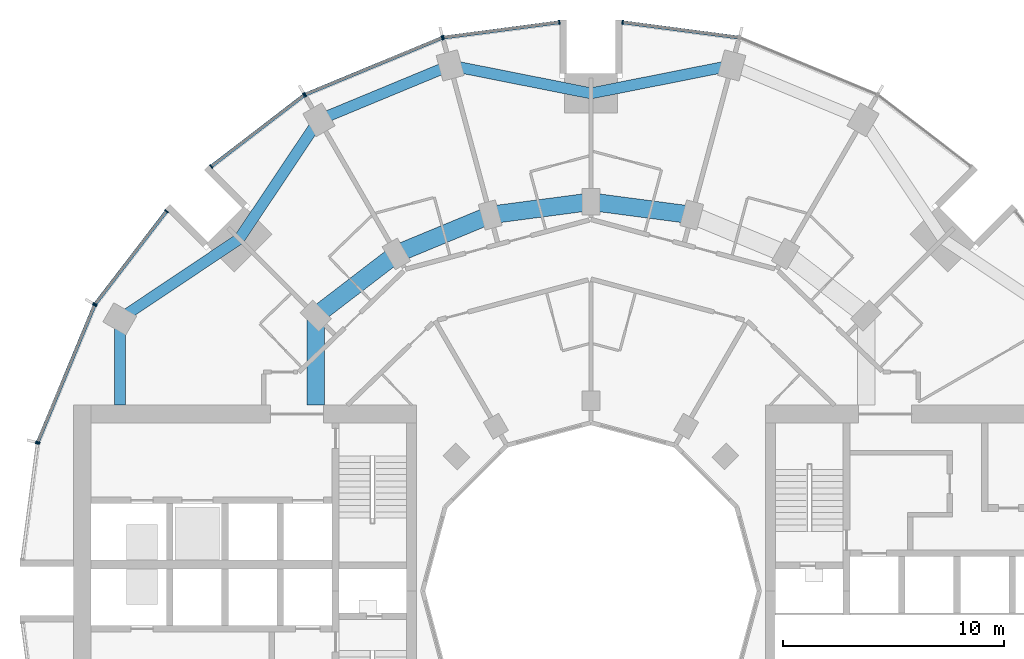
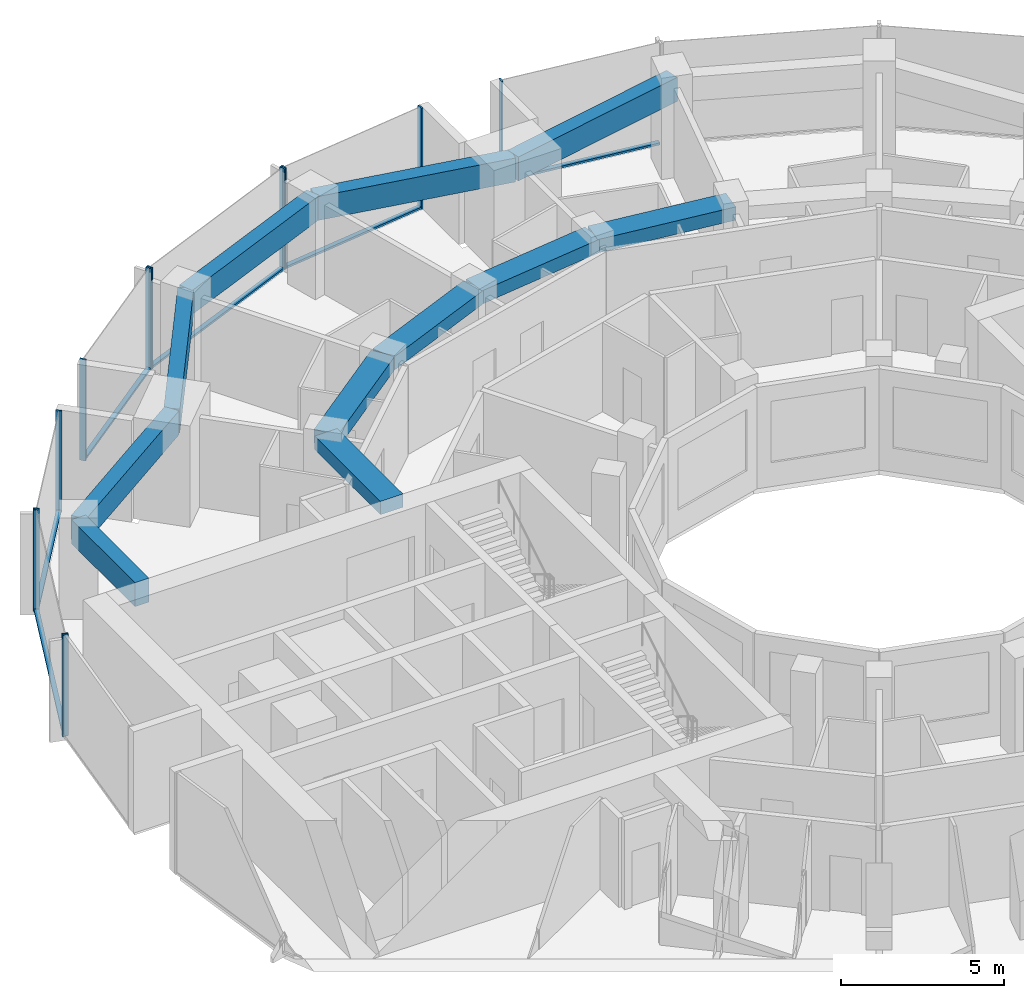
# One storey, part 5 of 15: 18 members, 11 beams, 7 elements without a shape of their own.
"""IFC4 building model written with IfcOpenShell, lengths in metres."""

from ifc_helpers import new_model, si_unit, direction, frame, origin, origin_2d, place, context, subcontext, project, spatial, rectangle, extrude, material, layer, layer_set, material_profile, profile_set, type_object, element, aggregate, save


model = new_model("IFC4")

# Units and contexts
model_context = context("Model", 3, precision=1e-05, world=origin(), true_north=direction((0.0, 1.0)))
body_context = subcontext(model_context, "Body", "Model", "MODEL_VIEW")
ifc_project = project(units=[si_unit("LENGTHUNIT", "METRE"), si_unit("AREAUNIT", "SQUARE_METRE"), si_unit("VOLUMEUNIT", "CUBIC_METRE"), si_unit("PLANEANGLEUNIT", "RADIAN"), si_unit("MASSUNIT", "GRAM", prefix="KILO")], contexts=[model_context])

# Site, building, storey
site_placement = place(None, origin())
site = spatial("IfcSite", under=ifc_project, at=site_placement, CompositionType="ELEMENT")
building_placement = place(site_placement, origin())
building = spatial("IfcBuilding", under=site, at=building_placement, Name="Torre Brocal", CompositionType="ELEMENT")
storey_placement = place(building_placement, frame((0.0, 0.0, 32.60009765625)))
storey = spatial("IfcBuildingStorey", under=building, at=storey_placement, Name="L06", CompositionType="ELEMENT", Elevation=32.60009765625)

# Curtain wall, member
ifc_material_1 = material(Name="Aluminium and glass", Category="aluminium")
ifc_layer_1 = layer(ifc_material_1, 0.199951171875)
ifc_layer_set_1 = layer_set([ifc_layer_1], Name="Aluminium and glass")
curtain_wall_type_1 = type_object("IfcCurtainWallType", Name="CW-1 CURTAIN WALL 3800 HIGH", PredefinedType="NOTDEFINED", material=ifc_layer_set_1)
curtain_wall_1_placement = place(storey_placement, origin())
curtain_wall_1 = element("IfcCurtainWall", 1, at=curtain_wall_1_placement, inside=storey, type_object=curtain_wall_type_1, Name="CW-1 RUN 6", PredefinedType="NOTDEFINED")
ifc_material_2 = material(Name="Aluminium, dark anodised", Category="aluminium")
ifc_material_profile_1 = material_profile(ifc_material_2, rectangle(XDim=0.199951171875, YDim=0.06005859375, at=origin_2d()), Name="CW-1 MULLION 60X200")
ifc_profile_set_1 = profile_set([ifc_material_profile_1], Name="Aluminium, dark anodised")
member_type_1 = type_object("IfcMemberType", Name="CW-1 MULLION 60X200", PredefinedType="MULLION", material=ifc_profile_set_1)
member_1_placement = place(storey_placement, frame((81.4296875, 100.7109375, 0.0), z_axis=(0.0, 0.0, 1.0), x_axis=(-0.13052619222, -0.991444861374, 0.0)))
member_1 = element("IfcMember", 2, at=member_1_placement, type_object=member_type_1, Name="CW1-1 mullion 2", PredefinedType="MULLION", context=body_context, shape_type="SweptSolid", body=[
    extrude(rectangle(XDim=0.199951171875, YDim=0.06005859375, at=origin_2d()), origin(), (0.0, 0.0, 1.0), 3.7998046875),
])

# Curtain wall, members
curtain_wall_2_placement = place(storey_placement, origin())
curtain_wall_2 = element("IfcCurtainWall", 3, at=curtain_wall_2_placement, inside=storey, type_object=curtain_wall_type_1, Name="CW-1 RUN 7", PredefinedType="NOTDEFINED")
member_2_placement = place(storey_placement, frame((78.5703125, 100.7109375, 0.0), z_axis=(0.0, 0.0, 1.0), x_axis=(0.13052619222, -0.991444861374, 0.0)))
member_2 = element("IfcMember", 4, at=member_2_placement, type_object=member_type_1, Name="CW1-1 mullion 1", PredefinedType="MULLION", context=body_context, shape_type="SweptSolid", body=[
    extrude(rectangle(XDim=0.199951171875, YDim=0.06005859375, at=origin_2d()), origin(), (0.0, 0.0, 1.0), 3.7998046875),
])
member_3_placement = place(storey_placement, frame((73.32666015625, 100.0205078125, 0.0), z_axis=(0.0, 0.0, 1.0), x_axis=(0.13052619222, -0.991444861374, 0.0)))
member_3 = element("IfcMember", 5, at=member_3_placement, type_object=member_type_1, Name="CW1-1 mullion 2", PredefinedType="MULLION", context=body_context, shape_type="SweptSolid", body=[
    extrude(rectangle(XDim=0.199951171875, YDim=0.06005859375, at=origin_2d()), origin(), (0.0, 0.0, 1.0), 3.7998046875),
])

curtain_wall_3_placement = place(storey_placement, origin())
curtain_wall_3 = element("IfcCurtainWall", 6, at=curtain_wall_3_placement, inside=storey, type_object=curtain_wall_type_1, Name="CW-1 RUN 8", PredefinedType="NOTDEFINED")
member_4_placement = place(storey_placement, frame((73.26904296875, 100.005126953125, 0.0), z_axis=(0.0, 0.0, 1.0), x_axis=(0.382683432333, -0.923879532525, 0.0)))
member_4 = element("IfcMember", 7, at=member_4_placement, type_object=member_type_1, Name="CW1-1 mullion 1", PredefinedType="MULLION", context=body_context, shape_type="SweptSolid", body=[
    extrude(rectangle(XDim=0.199951171875, YDim=0.06005859375, at=origin_2d()), origin(), (0.0, 0.0, 1.0), 3.7998046875),
])
member_5_placement = place(storey_placement, frame((67.078125, 97.440673828125, 0.0), z_axis=(0.0, 0.0, 1.0), x_axis=(0.382683432333, -0.923879532525, 0.0)))
member_5 = element("IfcMember", 8, at=member_5_placement, type_object=member_type_1, Name="CW1-1 mullion 2", PredefinedType="MULLION", context=body_context, shape_type="SweptSolid", body=[
    extrude(rectangle(XDim=0.199951171875, YDim=0.06005859375, at=origin_2d()), origin(), (0.0, 0.0, 1.0), 3.7998046875),
])

curtain_wall_4_placement = place(storey_placement, origin())
curtain_wall_4 = element("IfcCurtainWall", 9, at=curtain_wall_4_placement, inside=storey, type_object=curtain_wall_type_1, Name="CW-1 RUN 9", PredefinedType="NOTDEFINED")
member_6_placement = place(storey_placement, frame((67.026611328125, 97.4111328125, 0.0), z_axis=(0.0, 0.0, 1.0), x_axis=(0.60876142905, -0.793353340259, 0.0)))
member_6 = element("IfcMember", 10, at=member_6_placement, type_object=member_type_1, Name="CW1-1 mullion 1", PredefinedType="MULLION", context=body_context, shape_type="SweptSolid", body=[
    extrude(rectangle(XDim=0.199951171875, YDim=0.06005859375, at=origin_2d()), origin(), (0.0, 0.0, 1.0), 3.7998046875),
])
member_7_placement = place(storey_placement, frame((62.83056640625, 94.19140625, 0.0), z_axis=(0.0, 0.0, 1.0), x_axis=(0.60876142905, -0.793353340259, 0.0)))
member_7 = element("IfcMember", 11, at=member_7_placement, type_object=member_type_1, Name="CW1-1 mullion 2", PredefinedType="MULLION", context=body_context, shape_type="SweptSolid", body=[
    extrude(rectangle(XDim=0.199951171875, YDim=0.06005859375, at=origin_2d()), origin(), (0.0, 0.0, 1.0), 3.7998046875),
])

curtain_wall_5_placement = place(storey_placement, origin())
curtain_wall_5 = element("IfcCurtainWall", 12, at=curtain_wall_5_placement, inside=storey, type_object=curtain_wall_type_1, Name="CW-1 RUN 10", PredefinedType="NOTDEFINED")
member_8_placement = place(storey_placement, frame((60.80859375, 92.16943359375, 0.0), z_axis=(0.0, 0.0, 1.0), x_axis=(0.793353340259, -0.60876142905, 0.0)))
member_8 = element("IfcMember", 13, at=member_8_placement, type_object=member_type_1, Name="CW1-1 mullion 1", PredefinedType="MULLION", context=body_context, shape_type="SweptSolid", body=[
    extrude(rectangle(XDim=0.199951171875, YDim=0.06005859375, at=origin_2d()), origin(), (0.0, 0.0, 1.0), 3.7998046875),
])
member_9_placement = place(storey_placement, frame((57.5888671875, 87.973388671875, 0.0), z_axis=(0.0, 0.0, 1.0), x_axis=(0.793353340259, -0.60876142905, 0.0)))
member_9 = element("IfcMember", 14, at=member_9_placement, type_object=member_type_1, Name="CW1-1 mullion 2", PredefinedType="MULLION", context=body_context, shape_type="SweptSolid", body=[
    extrude(rectangle(XDim=0.199951171875, YDim=0.06005859375, at=origin_2d()), origin(), (0.0, 0.0, 1.0), 3.7998046875),
])

curtain_wall_6_placement = place(storey_placement, origin())
curtain_wall_6 = element("IfcCurtainWall", 15, at=curtain_wall_6_placement, inside=storey, type_object=curtain_wall_type_1, Name="CW-1 RUN 11", PredefinedType="NOTDEFINED")
member_10_placement = place(storey_placement, frame((57.559326171875, 87.921875, 0.0), z_axis=(0.0, 0.0, 1.0), x_axis=(0.923879532525, -0.382683432333, 0.0)))
member_10 = element("IfcMember", 16, at=member_10_placement, type_object=member_type_1, Name="CW1-1 mullion 1", PredefinedType="MULLION", context=body_context, shape_type="SweptSolid", body=[
    extrude(rectangle(XDim=0.199951171875, YDim=0.06005859375, at=origin_2d()), origin(), (0.0, 0.0, 1.0), 3.7998046875),
])
member_11_placement = place(storey_placement, frame((54.994873046875, 81.73095703125, 0.0), z_axis=(0.0, 0.0, 1.0), x_axis=(0.923879532525, -0.382683432333, 0.0)))
member_11 = element("IfcMember", 17, at=member_11_placement, type_object=member_type_1, Name="CW1-1 mullion 2", PredefinedType="MULLION", context=body_context, shape_type="SweptSolid", body=[
    extrude(rectangle(XDim=0.199951171875, YDim=0.06005859375, at=origin_2d()), origin(), (0.0, 0.0, 1.0), 3.7998046875),
])

# Member
ifc_material_3 = material(Name="Aluminium, dark anodised", Category="aluminium")
ifc_material_profile_2 = material_profile(ifc_material_3, rectangle(XDim=0.159912109375, YDim=0.080078125, at=origin_2d()), Name="CW-1 TRANSOM 160X80")
ifc_profile_set_2 = profile_set([ifc_material_profile_2], Name="Aluminium, dark anodised")
member_type_2 = type_object("IfcMemberType", Name="CW-1 TRANSOM 160X80", PredefinedType="USERDEFINED", material=ifc_profile_set_2)
member_12_placement = place(storey_placement, frame((86.643798828125, 100.0244140625, 0.039794921875), z_axis=(-0.991442690863, 0.130542677827, 0.0), x_axis=(-0.130542677827, -0.991442690863, 0.0)))
member_12 = element("IfcMember", 18, at=member_12_placement, type_object=member_type_2, Name="CW1-1 transom 1.1", ObjectType="TRANSOM", PredefinedType="USERDEFINED", context=body_context, shape_type="SweptSolid", body=[
    extrude(rectangle(XDim=0.159912109375, YDim=0.080078125, at=origin_2d()), origin(), (0.0, 0.0, 1.0), 5.22900390625),
])

aggregate(curtain_wall_1, [member_1, member_12])

member_13_placement = place(storey_placement, frame((78.54052734375, 100.70703125, 0.039794921875), z_axis=(-0.991442690863, -0.130542677827, 0.0), x_axis=(0.130542677827, -0.991442690863, 0.0)))
member_13 = element("IfcMember", 19, at=member_13_placement, type_object=member_type_2, Name="CW1-1 transom 1.1", ObjectType="TRANSOM", PredefinedType="USERDEFINED", context=body_context, shape_type="SweptSolid", body=[
    extrude(rectangle(XDim=0.159912109375, YDim=0.080078125, at=origin_2d()), origin(), (0.0, 0.0, 1.0), 5.22900390625),
])

aggregate(curtain_wall_2, [member_2, member_3, member_13])

member_14_placement = place(storey_placement, frame((73.241455078125, 99.99365234375, 0.039794921875), z_axis=(-0.923887344364, -0.38266457234, 0.0), x_axis=(0.38266457234, -0.923887344364, 0.0)))
member_14 = element("IfcMember", 20, at=member_14_placement, type_object=member_type_2, Name="CW1-1 transom 1.1", ObjectType="TRANSOM", PredefinedType="USERDEFINED", context=body_context, shape_type="SweptSolid", body=[
    extrude(rectangle(XDim=0.159912109375, YDim=0.080078125, at=origin_2d()), origin(), (0.0, 0.0, 1.0), 6.640869140625),
])

aggregate(curtain_wall_3, [member_4, member_5, member_14])

member_15_placement = place(storey_placement, frame((67.0029296875, 97.392822265625, 0.039794921875), z_axis=(-0.79336281513, -0.60874908096, 0.0), x_axis=(0.60874908096, -0.79336281513, 0.0)))
member_15 = element("IfcMember", 21, at=member_15_placement, type_object=member_type_2, Name="CW1-1 transom 1.1", ObjectType="TRANSOM", PredefinedType="USERDEFINED", context=body_context, shape_type="SweptSolid", body=[
    extrude(rectangle(XDim=0.159912109375, YDim=0.080078125, at=origin_2d()), origin(), (0.0, 0.0, 1.0), 5.22900390625),
])

aggregate(curtain_wall_4, [member_6, member_7, member_15])

member_16_placement = place(storey_placement, frame((60.790283203125, 92.1455078125, 0.039794921875), z_axis=(-0.60874908096, -0.79336281513, 0.0), x_axis=(0.79336281513, -0.60874908096, 0.0)))
member_16 = element("IfcMember", 22, at=member_16_placement, type_object=member_type_2, Name="CW1-1 transom 1.1", ObjectType="TRANSOM", PredefinedType="USERDEFINED", context=body_context, shape_type="SweptSolid", body=[
    extrude(rectangle(XDim=0.159912109375, YDim=0.080078125, at=origin_2d()), origin(), (0.0, 0.0, 1.0), 5.22900390625),
])

aggregate(curtain_wall_5, [member_8, member_9, member_16])

member_17_placement = place(storey_placement, frame((57.547607421875, 87.89404296875, 0.039794921875), z_axis=(-0.38266457234, -0.923887344364, 0.0), x_axis=(0.923887344364, -0.38266457234, 0.0)))
member_17 = element("IfcMember", 23, at=member_17_placement, type_object=member_type_2, Name="CW1-1 transom 1.1", ObjectType="TRANSOM", PredefinedType="USERDEFINED", context=body_context, shape_type="SweptSolid", body=[
    extrude(rectangle(XDim=0.159912109375, YDim=0.080078125, at=origin_2d()), origin(), (0.0, 0.0, 1.0), 6.640869140625),
])

aggregate(curtain_wall_6, [member_10, member_11, member_17])

# Curtain wall, member
ifc_material_4 = material(Name="Aluminium and glass", Category="aluminium")
ifc_layer_2 = layer(ifc_material_4, 0.199951171875)
ifc_layer_set_2 = layer_set([ifc_layer_2], Name="Aluminium and glass")
curtain_wall_type_2 = type_object("IfcCurtainWallType", Name="CW-1B CURTAIN WALL 3800 HIGH", PredefinedType="NOTDEFINED", material=ifc_layer_set_2)
curtain_wall_7_placement = place(storey_placement, origin())
curtain_wall_7 = element("IfcCurtainWall", 24, at=curtain_wall_7_placement, inside=storey, type_object=curtain_wall_type_2, Name="CW-1B RUN 12", PredefinedType="NOTDEFINED")
ifc_material_5 = material(Name="Aluminium, dark anodised", Category="aluminium")
ifc_material_profile_3 = material_profile(ifc_material_5, rectangle(XDim=0.199951171875, YDim=0.06005859375, at=origin_2d()), Name="CW-1B MULLION 60X200")
ifc_profile_set_3 = profile_set([ifc_material_profile_3], Name="Aluminium, dark anodised")
member_type_3 = type_object("IfcMemberType", Name="CW-1B MULLION 60X200", PredefinedType="MULLION", material=ifc_profile_set_3)
member_18_placement = place(storey_placement, frame((54.9794921875, 81.67333984375, 0.0), z_axis=(0.0, 0.0, 1.0), x_axis=(0.991444861374, -0.13052619222, 0.0)))
member_18 = element("IfcMember", 25, at=member_18_placement, type_object=member_type_3, Name="CW1B-1 mullion 1", PredefinedType="MULLION", context=body_context, shape_type="SweptSolid", body=[
    extrude(rectangle(XDim=0.199951171875, YDim=0.06005859375, at=origin_2d()), origin(), (0.0, 0.0, 1.0), 3.7998046875),
])
aggregate(curtain_wall_7, [member_18])

# Beams
ifc_material_6 = material(Name="Concrete C50", Category="concrete")
ifc_material_profile_4 = material_profile(ifc_material_6, rectangle(XDim=0.800048828125, YDim=0.5, at=origin_2d()), Name="RC 800X500")
ifc_profile_set_4 = profile_set([ifc_material_profile_4], Name="Concrete C50")
beam_type_1 = type_object("IfcBeamType", Name="RC BEAM 800X500 C50 TOP 3480", PredefinedType="BEAM", material=ifc_profile_set_4)
for number, where, z_axis, x_axis, name in (
    (26, (84.55517578125, 92.000244140625, 3.22998046875), (-0.991440544449, 0.130558978332, 0.0), (-0.130558978332, -0.991440544449, 0.0), "Beam BT-19"),
    (27, (80.0, 92.60009765625, 3.22998046875), (-0.991440544449, -0.130558978332, 0.0), (0.130558978332, -0.991440544449, 0.0), "Beam BT-19"),
):
    element("IfcBeam", number, at=place(storey_placement, frame(where, z_axis=z_axis, x_axis=x_axis)), inside=storey, type_object=beam_type_1, Name=name, PredefinedType="BEAM", context=body_context, shape_type="SweptSolid", body=[
        extrude(rectangle(XDim=0.800048828125, YDim=0.5, at=origin_2d()), origin(), (0.0, 0.0, 1.0), 4.594482421875),
    ])
beam_1_placement = place(storey_placement, frame((75.44482421875, 92.000244140625, 3.22998046875), z_axis=(-0.923878240166, -0.382686552348, 0.0), x_axis=(0.382686552348, -0.923878240166, 0.0)))
element("IfcBeam", 28, at=beam_1_placement, inside=storey, type_object=beam_type_1, Name="Beam BT-19", PredefinedType="BEAM", context=body_context, shape_type="SweptSolid", body=[
    extrude(rectangle(XDim=0.800048828125, YDim=0.5, at=origin_2d()), origin(), (0.0, 0.0, 1.0), 4.5947265625),
])
beam_2_placement = place(storey_placement, frame((71.199951171875, 90.241943359375, 3.22998046875), z_axis=(-0.793358265959, -0.6087550097, 0.0), x_axis=(0.6087550097, -0.793358265959, 0.0)))
element("IfcBeam", 29, at=beam_2_placement, inside=storey, type_object=beam_type_1, Name="Beam BT-19", PredefinedType="BEAM", context=body_context, shape_type="SweptSolid", body=[
    extrude(rectangle(XDim=0.800048828125, YDim=0.5, at=origin_2d()), origin(), (0.0, 0.0, 1.0), 4.594482421875),
])
beam_3_placement = place(storey_placement, frame((67.554931640625, 87.445068359375, 3.22998046875), z_axis=(0.0, -1.0, 0.0), x_axis=(1.0, 0.0, 0.0)))
element("IfcBeam", 30, at=beam_3_placement, inside=storey, type_object=beam_type_1, Name="Beam BT-19", PredefinedType="BEAM", context=body_context, shape_type="SweptSolid", body=[
    extrude(rectangle(XDim=0.800048828125, YDim=0.5, at=origin_2d()), origin(), (0.0, 0.0, 1.0), 4.045166015625),
])
ifc_material_7 = material(Name="Concrete C50", Category="concrete")
ifc_material_profile_5 = material_profile(ifc_material_7, rectangle(XDim=0.5, YDim=0.89990234375, at=origin_2d()), Name="RC 500X900")
ifc_profile_set_5 = profile_set([ifc_material_profile_5], Name="Concrete C50")
beam_type_2 = type_object("IfcBeamType", Name="RC SPANDREL BEAM 500X900 C50 TOP 3480", PredefinedType="SPANDREL", material=ifc_profile_set_5)
for number, where, z_axis, x_axis, name in (
    (31, (86.366943359375, 98.76171875, 3.02978515625), (-0.980924907484, -0.194387051723, 0.0), (0.194387051723, -0.980924907484, 0.0), "Beam BT-20"),
    (32, (80.0, 97.5, 3.02978515625), (-0.980924907484, 0.194387051723, 0.0), (-0.194387051723, -0.980924907484, 0.0), "Beam BT-20"),
):
    element("IfcBeam", number, at=place(storey_placement, frame(where, z_axis=z_axis, x_axis=x_axis)), inside=storey, type_object=beam_type_2, Name=name, PredefinedType="SPANDREL", context=body_context, shape_type="SweptSolid", body=[
        extrude(rectangle(XDim=0.5, YDim=0.89990234375, at=origin_2d()), origin(), (0.0, 0.0, 1.0), 6.49072265625),
    ])
beam_4_placement = place(storey_placement, frame((73.633056640625, 98.76171875, 3.02978515625), z_axis=(-0.923882462513, -0.382676358639, 0.0), x_axis=(0.382676358639, -0.923882462513, 0.0)))
element("IfcBeam", 33, at=beam_4_placement, inside=storey, type_object=beam_type_2, Name="Beam BT-20", PredefinedType="SPANDREL", context=body_context, shape_type="SweptSolid", body=[
    extrude(rectangle(XDim=0.5, YDim=0.89990234375, at=origin_2d()), origin(), (0.0, 0.0, 1.0), 6.421875),
])
for number, where, z_axis, x_axis, name in (
    (34, (67.699951171875, 96.30419921875, 3.02978515625), (-0.556157602282, -0.831076844476, 0.0), (0.831076844476, -0.556157602282, 0.0), "Beam BT-20"),
    (35, (64.090087890625, 90.909912109375, 3.02978515625), (-0.831076844476, -0.556157602282, 0.0), (0.556157602282, -0.831076844476, 0.0), "Beam BT-20"),
):
    element("IfcBeam", number, at=place(storey_placement, frame(where, z_axis=z_axis, x_axis=x_axis)), inside=storey, type_object=beam_type_2, Name=name, PredefinedType="SPANDREL", context=body_context, shape_type="SweptSolid", body=[
        extrude(rectangle(XDim=0.5, YDim=0.89990234375, at=origin_2d()), origin(), (0.0, 0.0, 1.0), 6.49072265625),
    ])
beam_5_placement = place(storey_placement, frame((58.69580078125, 87.300048828125, 3.02978515625), z_axis=(0.0, -1.0, 0.0), x_axis=(1.0, 0.0, 0.0)))
element("IfcBeam", 36, at=beam_5_placement, inside=storey, type_object=beam_type_2, Name="Beam BT-20", PredefinedType="SPANDREL", context=body_context, shape_type="SweptSolid", body=[
    extrude(rectangle(XDim=0.5, YDim=0.89990234375, at=origin_2d()), origin(), (0.0, 0.0, 1.0), 3.900146484375),
])

save(model, "model.ifc")
